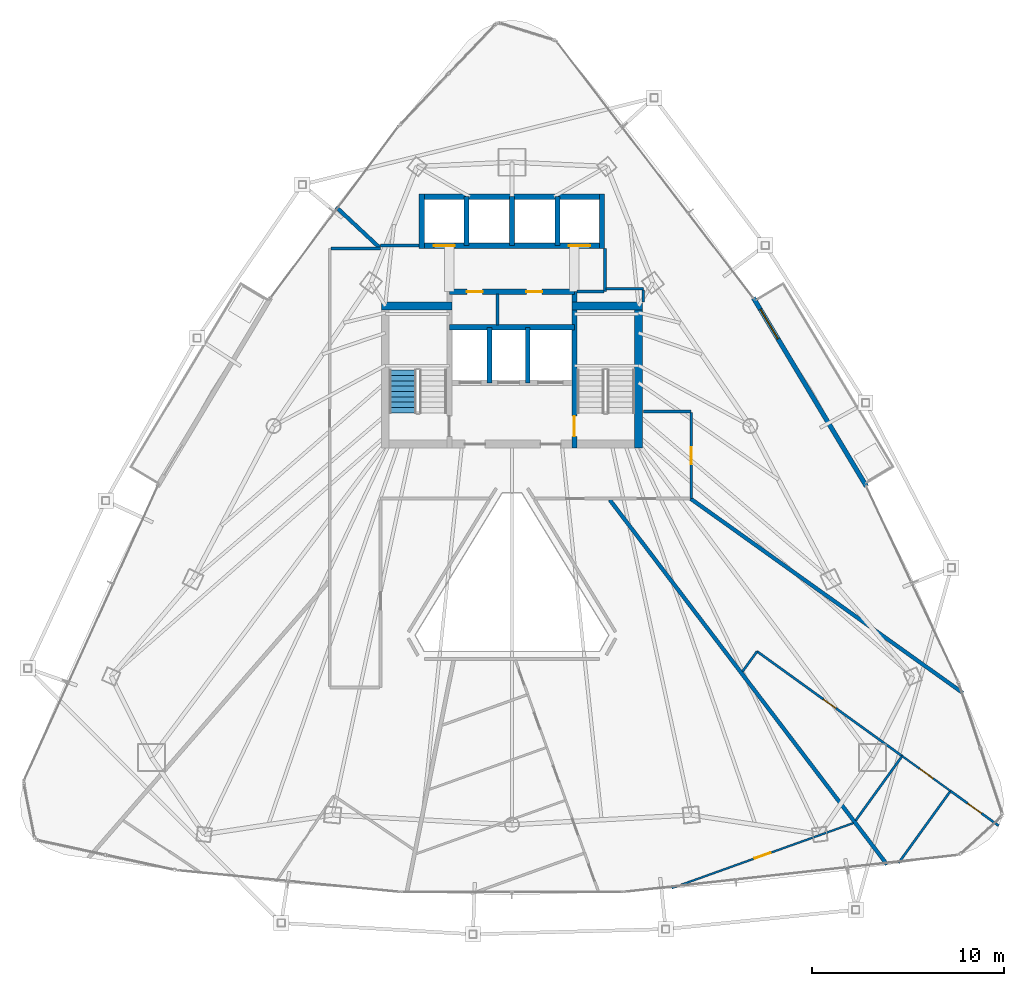
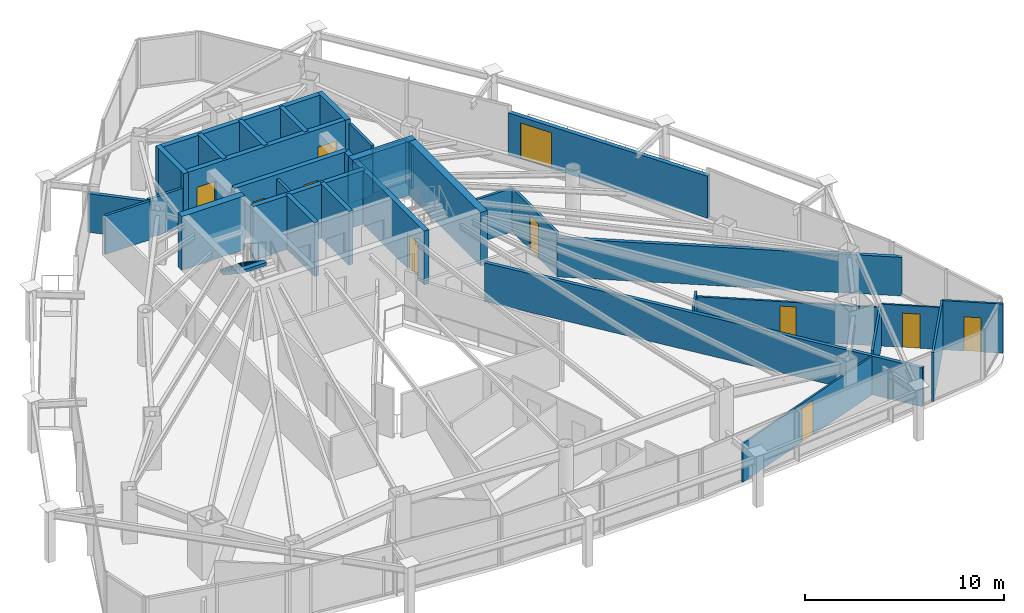
# One storey, part 26 of 30: 35 walls, 11 doors, 1 stair flight, 11 openings, 1 element without a shape of its own.
"""IFC4 building model written with IfcOpenShell, lengths in metres."""

from ifc_helpers import new_model, si_unit, direction, frame, frame_2d, origin, place, context, subcontext, project, spatial, polyline, rectangle, outline, extrude, material, layer, layer_set, type_object, element, fill, aggregate, save


model = new_model("IFC4")

# Units and contexts
model_context = context("Model", 3, precision=1e-05, world=origin(), true_north=direction((0.0, 1.0)))
body_context = subcontext(model_context, "Body", "Model", "MODEL_VIEW")
ifc_project = project(units=[si_unit("LENGTHUNIT", "METRE"), si_unit("AREAUNIT", "SQUARE_METRE"), si_unit("VOLUMEUNIT", "CUBIC_METRE"), si_unit("PLANEANGLEUNIT", "RADIAN"), si_unit("MASSUNIT", "GRAM", prefix="KILO")], contexts=[model_context])

# Site, building, storey
site_placement = place(None, origin())
site = spatial("IfcSite", under=ifc_project, at=site_placement, CompositionType="ELEMENT")
building_placement = place(site_placement, origin())
building = spatial("IfcBuilding", under=site, at=building_placement, Name="Orvanel Arch Residences", CompositionType="ELEMENT")
storey_placement = place(building_placement, frame((0.0, 0.0, 143.0)))
storey = spatial("IfcBuildingStorey", under=building, at=storey_placement, Name="L40", CompositionType="ELEMENT", Elevation=143.0)

# Wall, opening, door
ifc_material_1 = material(Name="Precast concrete N50 (50 MPa)", Category="concrete")
ifc_layer_1 = layer(ifc_material_1, 0.239990234375)
ifc_layer_set_1 = layer_set([ifc_layer_1], Name="Precast concrete N50 (50 MPa)")
wall_type_1 = type_object("IfcWallType", Name="EW-BAL-240", PredefinedType="SOLIDWALL", material=ifc_layer_set_1)
wall_1_placement = place(storey_placement, frame((51.490966796875, 24.491943359375, 0.0), z_axis=(0.0, 0.0, 1.0), x_axis=(-0.514364263751, 0.857571807009, 0.0)))
wall_1 = element("IfcWall", 1, at=wall_1_placement, inside=storey, type_object=wall_type_1, Name="L40 Balcony Threshold Wall Face 3", PredefinedType="SOLIDWALL", context=body_context, shape_type="SweptSolid", body=[
    extrude(rectangle(XDim=11.46826171875, YDim=0.239990234375, at=frame_2d((5.734130859375, 0.0))), origin(), (0.0, 0.0, 1.0), 2.583984375),
])
opening_1_placement = place(wall_1_placement, frame((8.971923828125, 0.0, 0.0)))
opening_1 = element("IfcOpeningElement", 2, at=opening_1_placement, cuts=wall_1, Name="Opening DB-180", PredefinedType="OPENING", context=body_context, shape_type="SweptSolid", body=[
    extrude(rectangle(XDim=1.800048828125, YDim=2.199951171875, at=frame_2d((0.89990234375, 1.10009765625))), frame((0.0, 0.1298828125, 0.0), z_axis=(0.0, -1.0, 0.0), x_axis=(1.0, 0.0, 0.0)), (0.0, 0.0, 1.0), 0.260009765625),
])
ifc_material_2 = material(Name="Bronze-anodised aluminium AA6063-T6", Category="aluminium")
door_type_1 = type_object("IfcDoorType", Name="DR-BAL-1800", OperationType="NOTDEFINED", PredefinedType="DOOR", material=ifc_material_2)
door_1_placement = place(opening_1_placement, origin())
door_1 = element("IfcDoor", 3, at=door_1_placement, inside=storey, type_object=door_type_1, Name="DR-L40-BAL-F3 L40 Planted Balcony Access Door Face 3", OperationType="SINGLE_SWING_LEFT", OverallHeight=2.199951171875, OverallWidth=1.800048828125, PredefinedType="DOOR", context=body_context, shape_type="SweptSolid", body=[
    extrude(rectangle(XDim=1.800048828125, YDim=2.199951171875, at=frame_2d((0.89990234375, 1.10009765625))), frame((0.0, 0.02490234375, 0.0), z_axis=(0.0, -1.0, 0.0), x_axis=(1.0, 0.0, 0.0)), (0.0, 0.0, 1.0), 0.050048828125),
])
fill(opening_1, door_1)

# Walls
ifc_material_3 = material(Name="Concrete N50 (50 MPa)", Category="concrete")
ifc_layer_2 = layer(ifc_material_3, 0.25)
ifc_layer_set_2 = layer_set([ifc_layer_2], Name="Concrete N50 (50 MPa)")
wall_type_2 = type_object("IfcWallType", Name="SW-CORE-250", PredefinedType="SHEAR", material=ifc_layer_set_2)
for number, where, z_axis, x_axis, name in (
    (4, (31.824951171875, 29.889892578125, 0.0), (0.0, 0.0, 1.0), (0.0, 1.0, 0.0), "L40 Emergency Lift Inter-Shaft Wall F12"),
    (5, (33.824951171875, 29.889892578125, 0.0), (0.0, 0.0, 1.0), (0.0, 1.0, 0.0), "L40 Emergency Lift Inter-Shaft Wall F2G"),
):
    element("IfcWall", number, at=place(storey_placement, frame(where, z_axis=z_axis, x_axis=x_axis)), inside=storey, type_object=wall_type_2, Name=name, PredefinedType="SHEAR", context=body_context, shape_type="SweptSolid", body=[
        extrude(rectangle(XDim=2.900146484375, YDim=0.25, at=frame_2d((1.4501953125, 0.0))), origin(), (0.0, 0.0, 1.0), 3.300048828125),
    ])
for number, where, z_axis, x_axis, name in (
    (6, (30.625, 37.050048828125, 0.0), (0.0, 0.0, 1.0), (0.0, 1.0, 0.0), "L40 Passenger Lift Inter-Shaft Wall P35"),
    (7, (33.0, 37.050048828125, 0.0), (0.0, 0.0, 1.0), (0.0, 1.0, 0.0), "L40 Passenger Lift Inter-Shaft Wall P56"),
    (8, (35.375, 37.050048828125, 0.0), (0.0, 0.0, 1.0), (0.0, 1.0, 0.0), "L40 Passenger Lift Inter-Shaft Wall P64"),
):
    element("IfcWall", number, at=place(storey_placement, frame(where, z_axis=z_axis, x_axis=x_axis)), inside=storey, type_object=wall_type_2, Name=name, PredefinedType="SHEAR", context=body_context, shape_type="SweptSolid", body=[
        extrude(rectangle(XDim=2.550048828125, YDim=0.25, at=frame_2d((1.27490234375, 0.0))), origin(), (0.0, 0.0, 1.0), 3.300048828125),
    ])

# Wall, opening, door
ifc_material_4 = material(Name="Concrete S65 (65 MPa)", Category="concrete")
ifc_layer_3 = layer(ifc_material_4, 0.280029296875)
ifc_layer_set_3 = layer_set([ifc_layer_3], Name="Concrete S65 (65 MPa)")
wall_type_3 = type_object("IfcWallType", Name="SW-CORE-280", PredefinedType="SHEAR", material=ifc_layer_set_3)
wall_2_placement = place(storey_placement, frame((36.260009765625, 26.5, 0.0), z_axis=(0.0, 0.0, 1.0), x_axis=(0.0, 1.0, 0.0)))
wall_2 = element("IfcWall", 9, at=wall_2_placement, inside=storey, type_object=wall_type_3, Name="L40 East Inner Core Spine Shear Wall", PredefinedType="SHEAR", context=body_context, shape_type="SweptSolid", body=[
    extrude(rectangle(XDim=8.14990234375, YDim=0.280029296875, at=frame_2d((4.074951171875, 0.0))), origin(), (0.0, 0.0, 1.0), 3.300048828125),
])
opening_2_placement = place(wall_2_placement, frame((0.60009765625, 0.0, 0.0)))
opening_2 = element("IfcOpeningElement", 10, at=opening_2_placement, cuts=wall_2, Name="Opening DF-120", PredefinedType="OPENING", context=body_context, shape_type="SweptSolid", body=[
    extrude(rectangle(XDim=1.050048828125, YDim=2.14990234375, at=frame_2d((0.52490234375, 1.074951171875))), frame((0.0, 0.14990234375, 0.0), z_axis=(0.0, -1.0, 0.0), x_axis=(1.0, 0.0, 0.0)), (0.0, 0.0, 1.0), 0.300048828125),
])
ifc_material_5 = material(Name="Galvanised steel fire-resisting door assembly", Category="steel")
door_type_2 = type_object("IfcDoorType", Name="DR-FD120-1050", OperationType="NOTDEFINED", PredefinedType="DOOR", material=ifc_material_5)
door_2_placement = place(opening_2_placement, origin())
door_2 = element("IfcDoor", 11, at=door_2_placement, inside=storey, type_object=door_type_2, Name="DR-L40-ST2 L40 Stair 2 Fire Door", OperationType="SINGLE_SWING_RIGHT", OverallHeight=2.14990234375, OverallWidth=1.050048828125, PredefinedType="DOOR", context=body_context, shape_type="SweptSolid", body=[
    extrude(rectangle(XDim=1.050048828125, YDim=2.14990234375, at=frame_2d((0.52490234375, 1.074951171875))), frame((0.0, 0.02490234375, 0.0), z_axis=(0.0, -1.0, 0.0), x_axis=(1.0, 0.0, 0.0)), (0.0, 0.0, 1.0), 0.050048828125),
])
fill(opening_2, door_2)

# Wall
wall_3_placement = place(storey_placement, frame((29.739990234375, 32.7900390625, 0.0), z_axis=(0.0, 0.0, 1.0), x_axis=(1.0, 0.0, 0.0)))
element("IfcWall", 12, at=wall_3_placement, inside=storey, type_object=wall_type_3, Name="L40 Emergency Lift Back Core Shear Wall", PredefinedType="SHEAR", context=body_context, shape_type="SweptSolid", body=[
    extrude(rectangle(XDim=6.52001953125, YDim=0.280029296875, at=frame_2d((3.260009765625, 0.0))), origin(), (0.0, 0.0, 1.0), 3.300048828125),
])

# Wall, openings, doors
wall_4_placement = place(storey_placement, frame((29.739990234375, 34.64990234375, 0.0), z_axis=(0.0, 0.0, 1.0), x_axis=(1.0, 0.0, 0.0)))
wall_4 = element("IfcWall", 13, at=wall_4_placement, inside=storey, type_object=wall_type_3, Name="L40 Core Service Band North Shear Wall", PredefinedType="SHEAR", context=body_context, shape_type="SweptSolid", body=[
    extrude(rectangle(XDim=6.52001953125, YDim=0.280029296875, at=frame_2d((3.260009765625, 0.0))), origin(), (0.0, 0.0, 1.0), 3.300048828125),
])
opening_3_placement = place(wall_4_placement, frame((0.9150390625, 0.0, 0.0)))
opening_3 = element("IfcOpeningElement", 14, at=opening_3_placement, cuts=wall_4, Name="Opening DS-082", PredefinedType="OPENING", context=body_context, shape_type="SweptSolid", body=[
    extrude(rectangle(XDim=0.820068359375, YDim=2.10009765625, at=frame_2d((0.41015625, 1.050048828125))), frame((0.0, 0.14990234375, 0.0), z_axis=(0.0, -1.0, 0.0), x_axis=(1.0, 0.0, 0.0)), (0.0, 0.0, 1.0), 0.300048828125),
])
opening_4_placement = place(wall_4_placement, frame((4.014892578125, 0.0, 0.0)))
opening_4 = element("IfcOpeningElement", 15, at=opening_4_placement, cuts=wall_4, Name="Opening DW-082", PredefinedType="OPENING", context=body_context, shape_type="SweptSolid", body=[
    extrude(rectangle(XDim=0.820068359375, YDim=2.10009765625, at=frame_2d((0.41015625, 1.050048828125))), frame((0.0, 0.14990234375, 0.0), z_axis=(0.0, -1.0, 0.0), x_axis=(1.0, 0.0, 0.0)), (0.0, 0.0, 1.0), 0.300048828125),
])
door_type_3 = type_object("IfcDoorType", Name="DR-SVC-820", OperationType="NOTDEFINED", PredefinedType="DOOR", material=ifc_material_5)
door_3_placement = place(opening_3_placement, origin())
door_3 = element("IfcDoor", 16, at=door_3_placement, inside=storey, type_object=door_type_3, Name="DR-L40-CSVC-1 L40 Floor Cleaner's Store Door", OperationType="SINGLE_SWING_LEFT", OverallHeight=2.10009765625, OverallWidth=0.820068359375, PredefinedType="DOOR", context=body_context, shape_type="SweptSolid", body=[
    extrude(rectangle(XDim=0.820068359375, YDim=2.10009765625, at=frame_2d((0.41015625, 1.050048828125))), frame((0.0, 0.02490234375, 0.0), z_axis=(0.0, -1.0, 0.0), x_axis=(1.0, 0.0, 0.0)), (0.0, 0.0, 1.0), 0.050048828125),
])
fill(opening_3, door_3)
ifc_material_6 = material(Name="Solid-core European oak veneer fire door leaf", Category="wood")
door_type_4 = type_object("IfcDoorType", Name="DR-WET-820", OperationType="NOTDEFINED", PredefinedType="DOOR", material=ifc_material_6)
door_4_placement = place(opening_4_placement, origin())
door_4 = element("IfcDoor", 17, at=door_4_placement, inside=storey, type_object=door_type_4, Name="DR-L40-CSVC-2 L40 Core Accessible WC Door", OperationType="SINGLE_SWING_LEFT", OverallHeight=2.10009765625, OverallWidth=0.820068359375, PredefinedType="DOOR", context=body_context, shape_type="SweptSolid", body=[
    extrude(rectangle(XDim=0.820068359375, YDim=2.10009765625, at=frame_2d((0.41015625, 1.050048828125))), frame((0.0, 0.02490234375, 0.0), z_axis=(0.0, -1.0, 0.0), x_axis=(1.0, 0.0, 0.0)), (0.0, 0.0, 1.0), 0.050048828125),
])
fill(opening_4, door_4)

wall_5_placement = place(storey_placement, frame((37.840087890625, 37.050048828125, 0.0), z_axis=(0.0, 0.0, 1.0), x_axis=(-1.0, 0.0, 0.0)))
wall_5 = element("IfcWall", 18, at=wall_5_placement, inside=storey, type_object=wall_type_3, Name="L40 Passenger Lift Bank Front Shear Wall", PredefinedType="SHEAR", context=body_context, shape_type="SweptSolid", body=[
    extrude(rectangle(XDim=9.68017578125, YDim=0.280029296875, at=frame_2d((4.840087890625, 0.0))), origin(), (0.0, 0.0, 1.0), 3.300048828125),
])
opening_5_placement = place(wall_5_placement, frame((7.81494140625, 0.0, 0.0)))
opening_5 = element("IfcOpeningElement", 19, at=opening_5_placement, cuts=wall_5, Name="Opening LD-110", PredefinedType="OPENING", context=body_context, shape_type="SweptSolid", body=[
    extrude(rectangle(XDim=1.10009765625, YDim=2.199951171875, at=frame_2d((0.550048828125, 1.10009765625))), frame((0.0, 0.14990234375, 0.0), z_axis=(0.0, -1.0, 0.0), x_axis=(1.0, 0.0, 0.0)), (0.0, 0.0, 1.0), 0.300048828125),
])
opening_6_placement = place(wall_5_placement, frame((0.764892578125, 0.0, 0.0)))
opening_6 = element("IfcOpeningElement", 20, at=opening_6_placement, cuts=wall_5, Name="Opening LD-110", PredefinedType="OPENING", context=body_context, shape_type="SweptSolid", body=[
    extrude(rectangle(XDim=1.10009765625, YDim=2.199951171875, at=frame_2d((0.550048828125, 1.10009765625))), frame((0.0, 0.14990234375, 0.0), z_axis=(0.0, -1.0, 0.0), x_axis=(1.0, 0.0, 0.0)), (0.0, 0.0, 1.0), 0.300048828125),
])
door_type_5 = type_object("IfcDoorType", Name="DR-LFT-1100", OperationType="NOTDEFINED", PredefinedType="DOOR", material=ifc_material_5)
door_5_placement = place(opening_5_placement, origin())
door_5 = element("IfcDoor", 21, at=door_5_placement, inside=storey, type_object=door_type_5, Name="LD-P3-L40 L40 Passenger Lift P3 Sliding Landing Door", OperationType="DOUBLE_DOOR_SLIDING", OverallHeight=2.199951171875, OverallWidth=1.10009765625, PredefinedType="DOOR", context=body_context, shape_type="SweptSolid", body=[
    extrude(rectangle(XDim=1.10009765625, YDim=2.199951171875, at=frame_2d((0.550048828125, 1.10009765625))), frame((0.0, 0.02490234375, 0.0), z_axis=(0.0, -1.0, 0.0), x_axis=(1.0, 0.0, 0.0)), (0.0, 0.0, 1.0), 0.050048828125),
])
fill(opening_5, door_5)
door_6_placement = place(opening_6_placement, origin())
door_6 = element("IfcDoor", 22, at=door_6_placement, inside=storey, type_object=door_type_5, Name="LD-P4-L40 L40 Passenger Lift P4 Sliding Landing Door", OperationType="DOUBLE_DOOR_SLIDING", OverallHeight=2.199951171875, OverallWidth=1.10009765625, PredefinedType="DOOR", context=body_context, shape_type="SweptSolid", body=[
    extrude(rectangle(XDim=1.10009765625, YDim=2.199951171875, at=frame_2d((0.550048828125, 1.10009765625))), frame((0.0, 0.02490234375, 0.0), z_axis=(0.0, -1.0, 0.0), x_axis=(1.0, 0.0, 0.0)), (0.0, 0.0, 1.0), 0.050048828125),
])
fill(opening_6, door_6)

# Walls
wall_6_placement = place(storey_placement, frame((28.159912109375, 39.60009765625, 0.0), z_axis=(0.0, 0.0, 1.0), x_axis=(1.0, 0.0, 0.0)))
element("IfcWall", 23, at=wall_6_placement, inside=storey, type_object=wall_type_3, Name="L40 Passenger Lift Bank North Shear Wall", PredefinedType="SHEAR", context=body_context, shape_type="SweptSolid", body=[
    extrude(rectangle(XDim=9.68017578125, YDim=0.280029296875, at=frame_2d((4.840087890625, 0.0))), origin(), (0.0, 0.0, 1.0), 3.300048828125),
])
for number, where, z_axis, x_axis, name in (
    (24, (28.300048828125, 36.909912109375, 0.0), (0.0, 0.0, 1.0), (0.0, 1.0, 0.0), "L40 Passenger Lift Bank West Shear Wall"),
    (25, (37.699951171875, 36.909912109375, 0.0), (0.0, 0.0, 1.0), (0.0, 1.0, 0.0), "L40 Passenger Lift Bank East Shear Wall"),
):
    element("IfcWall", number, at=place(storey_placement, frame(where, z_axis=z_axis, x_axis=x_axis)), inside=storey, type_object=wall_type_3, Name=name, PredefinedType="SHEAR", context=body_context, shape_type="SweptSolid", body=[
        extrude(rectangle(XDim=2.830078125, YDim=0.280029296875, at=frame_2d((1.4150390625, 0.0))), origin(), (0.0, 0.0, 1.0), 3.300048828125),
    ])
ifc_layer_4 = layer(ifc_material_4, 0.39990234375)
ifc_layer_set_4 = layer_set([ifc_layer_4], Name="Concrete S65 (65 MPa)")
wall_type_4 = type_object("IfcWallType", Name="SW-CORE-400", PredefinedType="SHEAR", material=ifc_layer_set_4)
wall_7_placement = place(storey_placement, frame((26.199951171875, 33.89990234375, 0.0), z_axis=(0.0, 0.0, 1.0), x_axis=(1.0, 0.0, 0.0)))
element("IfcWall", 26, at=wall_7_placement, inside=storey, type_object=wall_type_4, Name="L40 West Stair North Shear Wall", PredefinedType="SHEAR", context=body_context, shape_type="SweptSolid", body=[
    extrude(rectangle(XDim=3.679931640625, YDim=0.39990234375, at=frame_2d((1.83984375, 0.0))), origin(), (0.0, 0.0, 1.0), 3.300048828125),
])
wall_8_placement = place(storey_placement, frame((39.60009765625, 26.5, 0.0), z_axis=(0.0, 0.0, 1.0), x_axis=(0.0, 1.0, 0.0)))
element("IfcWall", 27, at=wall_8_placement, inside=storey, type_object=wall_type_4, Name="L40 East Stair Shear Wall", PredefinedType="SHEAR", context=body_context, shape_type="SweptSolid", body=[
    extrude(rectangle(XDim=7.60009765625, YDim=0.39990234375, at=frame_2d((3.800048828125, 0.0))), origin(), (0.0, 0.0, 1.0), 3.300048828125),
])
wall_9_placement = place(storey_placement, frame((36.1201171875, 33.89990234375, 0.0), z_axis=(0.0, 0.0, 1.0), x_axis=(1.0, 0.0, 0.0)))
element("IfcWall", 28, at=wall_9_placement, inside=storey, type_object=wall_type_4, Name="L40 East Stair North Shear Wall", PredefinedType="SHEAR", context=body_context, shape_type="SweptSolid", body=[
    extrude(rectangle(XDim=3.679931640625, YDim=0.39990234375, at=frame_2d((1.83984375, 0.0))), origin(), (0.0, 0.0, 1.0), 3.300048828125),
])
ifc_material_7 = material(Name="Fire-rated plasterboard lined steel stud partition", Category="steel")
ifc_layer_5 = layer(ifc_material_7, 0.14990234375)
ifc_layer_set_5 = layer_set([ifc_layer_5], Name="Fire-rated plasterboard lined steel stud partition")
wall_type_5 = type_object("IfcWallType", Name="W-COR-150", PredefinedType="PARTITIONING", material=ifc_layer_set_5)
wall_10_placement = place(storey_placement, frame((37.85009765625, 34.64990234375, 0.0), z_axis=(0.0, 0.0, 1.0), x_axis=(0.0, 1.0, 0.0)))
element("IfcWall", 29, at=wall_10_placement, inside=storey, type_object=wall_type_5, Name="L40 Passenger Lift Lobby East Closure Wall", PredefinedType="PARTITIONING", context=body_context, shape_type="SweptSolid", body=[
    extrude(rectangle(XDim=2.260009765625, YDim=0.14990234375, at=frame_2d((1.1298828125, 0.0))), origin(), (0.0, 0.0, 1.0), 3.02001953125),
])
wall_11_placement = place(storey_placement, frame((36.385009765625, 34.64990234375, 0.0), z_axis=(0.0, 0.0, 1.0), x_axis=(1.0, 0.0, 0.0)))
element("IfcWall", 30, at=wall_11_placement, inside=storey, type_object=wall_type_5, Name="L40 Passenger Lift Lobby South-East Wall", PredefinedType="PARTITIONING", context=body_context, shape_type="SweptSolid", body=[
    extrude(rectangle(XDim=1.405029296875, YDim=0.14990234375, at=frame_2d((0.70263671875, 0.0))), origin(), (0.0, 0.0, 1.0), 2.385009765625),
])
wall_12_placement = place(storey_placement, frame((23.56005859375, 36.89990234375, 0.0), z_axis=(0.0, 0.0, 1.0), x_axis=(1.0, 0.0, 0.0)))
element("IfcWall", 31, at=wall_12_placement, inside=storey, type_object=wall_type_5, Name="L40 Corridor Fire-Rated Partition", PredefinedType="PARTITIONING", context=body_context, shape_type="SweptSolid", body=[
    extrude(rectangle(XDim=2.58984375, YDim=0.14990234375, at=frame_2d((1.294921875, 0.0))), origin(), (0.0, 0.0, 1.0), 2.373046875),
])
wall_13_placement = place(storey_placement, frame((39.85009765625, 28.39990234375, 0.0), z_axis=(0.0, 0.0, 1.0), x_axis=(1.0, 0.0, 0.0)))
element("IfcWall", 32, at=wall_13_placement, inside=storey, type_object=wall_type_5, Name="L40 Corridor Fire-Rated Partition", PredefinedType="PARTITIONING", context=body_context, shape_type="SweptSolid", body=[
    extrude(rectangle(XDim=2.5, YDim=0.14990234375, at=frame_2d((1.25, 0.0))), origin(), (0.0, 0.0, 1.0), 2.680908203125),
])

# Wall, opening, door
wall_14_placement = place(storey_placement, frame((42.35009765625, 28.340087890625, 0.0), z_axis=(0.0, 0.0, 1.0), x_axis=(0.0, -1.0, 0.0)))
wall_14 = element("IfcWall", 33, at=wall_14_placement, inside=storey, type_object=wall_type_5, Name="L40 Corridor Fire-Rated Partition", PredefinedType="PARTITIONING", context=body_context, shape_type="SweptSolid", body=[
    extrude(rectangle(XDim=4.489990234375, YDim=0.14990234375, at=frame_2d((2.2451171875, 0.0))), origin(), (0.0, 0.0, 1.0), 2.680908203125),
])
opening_7_placement = place(wall_14_placement, frame((1.804931640625, 0.0, 0.0)))
opening_7 = element("IfcOpeningElement", 34, at=opening_7_placement, cuts=wall_14, Name="Opening DI-088", PredefinedType="OPENING", context=body_context, shape_type="SweptSolid", body=[
    extrude(rectangle(XDim=0.8798828125, YDim=2.10009765625, at=frame_2d((0.43994140625, 1.050048828125))), frame((0.0, 0.0849609375, 0.0), z_axis=(0.0, -1.0, 0.0), x_axis=(1.0, 0.0, 0.0)), (0.0, 0.0, 1.0), 0.169921875),
])
door_type_6 = type_object("IfcDoorType", Name="DR-INT-880", OperationType="NOTDEFINED", PredefinedType="DOOR", material=ifc_material_6)
door_7_placement = place(opening_7_placement, origin())
door_7 = element("IfcDoor", 35, at=door_7_placement, inside=storey, type_object=door_type_6, Name="DR-L40-SHRD-FB2 L40 Co-Working Study Office B Door", OperationType="SINGLE_SWING_LEFT", OverallHeight=2.10009765625, OverallWidth=0.8798828125, PredefinedType="DOOR", context=body_context, shape_type="SweptSolid", body=[
    extrude(rectangle(XDim=0.8798828125, YDim=2.10009765625, at=frame_2d((0.43994140625, 1.050048828125))), frame((0.0, 0.02490234375, 0.0), z_axis=(0.0, -1.0, 0.0), x_axis=(1.0, 0.0, 0.0)), (0.0, 0.0, 1.0), 0.050048828125),
])
fill(opening_7, door_7)

# Walls
wall_15_placement = place(storey_placement, frame((26.14990234375, 37.050048828125, 0.0), z_axis=(0.0, 0.0, 1.0), x_axis=(1.0, 0.0, 0.0)))
element("IfcWall", 36, at=wall_15_placement, inside=storey, type_object=wall_type_5, Name="L40 Core Perimeter Partition", PredefinedType="PARTITIONING", context=body_context, shape_type="SweptSolid", body=[
    extrude(rectangle(XDim=2.0, YDim=0.14990234375, at=frame_2d((1.0, 0.0))), origin(), (0.0, 0.0, 1.0), 2.373046875),
])
wall_16_placement = place(storey_placement, frame((37.909912109375, 34.800048828125, 0.0), z_axis=(0.0, 0.0, 1.0), x_axis=(1.0, 0.0, 0.0)))
element("IfcWall", 37, at=wall_16_placement, inside=storey, type_object=wall_type_5, Name="L40 Core Perimeter Partition", PredefinedType="PARTITIONING", context=body_context, shape_type="SweptSolid", body=[
    extrude(rectangle(XDim=1.940185546875, YDim=0.14990234375, at=frame_2d((0.97021484375, 0.0))), origin(), (0.0, 0.0, 1.0), 2.680908203125),
])
wall_17_placement = place(storey_placement, frame((39.85009765625, 34.739990234375, 0.0), z_axis=(0.0, 0.0, 1.0), x_axis=(0.0, -1.0, 0.0)))
element("IfcWall", 38, at=wall_17_placement, inside=storey, type_object=wall_type_5, Name="L40 Core Perimeter Partition", PredefinedType="PARTITIONING", context=body_context, shape_type="SweptSolid", body=[
    extrude(rectangle(XDim=0.639892578125, YDim=0.14990234375, at=frame_2d((0.31982421875, 0.0))), origin(), (0.0, 0.0, 1.0), 2.680908203125),
])
ifc_layer_6 = layer(ifc_material_7, 0.199951171875)
ifc_layer_set_6 = layer_set([ifc_layer_6], Name="Fire-rated plasterboard lined steel stud partition")
wall_type_6 = type_object("IfcWallType", Name="W-DEM-200", PredefinedType="PARTITIONING", material=ifc_layer_set_6)
wall_18_placement = place(storey_placement, frame((38.10107421875, 23.7900390625, 0.0), z_axis=(0.0, 0.0, 1.0), x_axis=(0.605201904092, -0.796072016393, 0.0)))
element("IfcWall", 39, at=wall_18_placement, inside=storey, type_object=wall_type_6, Name="L40 Inter-Tenancy Acoustic Demising Wall", PredefinedType="PARTITIONING", context=body_context, shape_type="SweptSolid", body=[
    extrude(rectangle(XDim=23.89599609375, YDim=0.199951171875, at=frame_2d((11.947998046875, 0.0))), origin(), (0.0, 0.0, 1.0), 2.373046875),
])
wall_19_placement = place(storey_placement, frame((26.0791015625, 36.9599609375, 0.0), z_axis=(0.0, 0.0, 1.0), x_axis=(-0.730912649308, 0.682471024354, 0.0)))
element("IfcWall", 40, at=wall_19_placement, inside=storey, type_object=wall_type_6, Name="L40 Inter-Tenancy Acoustic Demising Wall", PredefinedType="PARTITIONING", context=body_context, shape_type="SweptSolid", body=[
    extrude(rectangle(XDim=3.07421875, YDim=0.199951171875, at=frame_2d((1.537109375, 0.0))), origin(), (0.0, 0.0, 1.0), 2.373046875),
])
wall_20_placement = place(storey_placement, frame((56.514892578125, 13.719970703125, 0.0), z_axis=(0.0, 0.0, 1.0), x_axis=(-0.813997291107, 0.580868668522, 0.0)))
element("IfcWall", 41, at=wall_20_placement, inside=storey, type_object=wall_type_6, Name="L40 Inter-Tenancy Acoustic Demising Wall", PredefinedType="PARTITIONING", context=body_context, shape_type="SweptSolid", body=[
    extrude(rectangle(XDim=17.439697265625, YDim=0.199951171875, at=frame_2d((8.7197265625, 0.0))), origin(), (0.0, 0.0, 1.0), 2.373046875),
])

# Wall, opening, door
ifc_material_8 = material(Name="Acoustic plasterboard lined twin-stud partition", Category="gypsum")
ifc_layer_7 = layer(ifc_material_8, 0.10009765625)
ifc_layer_set_7 = layer_set([ifc_layer_7], Name="Acoustic plasterboard lined twin-stud partition")
wall_type_7 = type_object("IfcWallType", Name="W-INT-100", PredefinedType="PARTITIONING", material=ifc_layer_set_7)
wall_21_placement = place(storey_placement, frame((50.81005859375, 6.931884765625, 0.0), z_axis=(0.0, 0.0, 1.0), x_axis=(-0.941340567411, -0.337458050943, 0.0)))
wall_21 = element("IfcWall", 42, at=wall_21_placement, inside=storey, type_object=wall_type_7, Name="L40 Flat A Internal Partition", PredefinedType="PARTITIONING", context=body_context, shape_type="SweptSolid", body=[
    extrude(rectangle(XDim=10.0634765625, YDim=0.10009765625, at=frame_2d((5.03173828125, 0.0))), origin(), (0.0, 0.0, 1.0), 2.373046875),
])
opening_8_placement = place(wall_21_placement, frame((4.592041015625, 0.0, 0.0)))
opening_8 = element("IfcOpeningElement", 43, at=opening_8_placement, cuts=wall_21, Name="Opening DI-088", PredefinedType="OPENING", context=body_context, shape_type="SweptSolid", body=[
    extrude(rectangle(XDim=0.8798828125, YDim=2.10009765625, at=frame_2d((0.43994140625, 1.050048828125))), frame((0.0, 0.06005859375, 0.0), z_axis=(0.0, -1.0, 0.0), x_axis=(1.0, 0.0, 0.0)), (0.0, 0.0, 1.0), 0.1201171875),
])
door_8_placement = place(opening_8_placement, origin())
door_8 = element("IfcDoor", 44, at=door_8_placement, inside=storey, type_object=door_type_6, Name="DR-L40-A-AME2 L40 Flat A Resident Reading Library 1 Door", OperationType="SINGLE_SWING_LEFT", OverallHeight=2.10009765625, OverallWidth=0.8798828125, PredefinedType="DOOR", context=body_context, shape_type="SweptSolid", body=[
    extrude(rectangle(XDim=0.8798828125, YDim=2.10009765625, at=frame_2d((0.43994140625, 1.050048828125))), frame((0.0, 0.02490234375, 0.0), z_axis=(0.0, -1.0, 0.0), x_axis=(1.0, 0.0, 0.0)), (0.0, 0.0, 1.0), 0.050048828125),
])
fill(opening_8, door_8)

wall_22_placement = place(storey_placement, frame((55.8740234375, 8.60400390625, 0.0), z_axis=(0.0, 0.0, 1.0), x_axis=(-0.810886170902, 0.585203911333, 0.0)))
wall_22 = element("IfcWall", 45, at=wall_22_placement, inside=storey, type_object=wall_type_7, Name="L40 Studio E Internal Partition", PredefinedType="PARTITIONING", context=body_context, shape_type="SweptSolid", body=[
    extrude(rectangle(XDim=3.110107421875, YDim=0.10009765625, at=frame_2d((1.55517578125, 0.0))), origin(), (0.0, 0.0, 1.0), 2.5791015625),
])
opening_9_placement = place(wall_22_placement, frame((1.114990234375, 0.0, 0.0)))
opening_9 = element("IfcOpeningElement", 46, at=opening_9_placement, cuts=wall_22, Name="Opening DI-088", PredefinedType="OPENING", context=body_context, shape_type="SweptSolid", body=[
    extrude(rectangle(XDim=0.8798828125, YDim=2.10009765625, at=frame_2d((0.43994140625, 1.050048828125))), frame((0.0, 0.06005859375, 0.0), z_axis=(0.0, -1.0, 0.0), x_axis=(1.0, 0.0, 0.0)), (0.0, 0.0, 1.0), 0.1201171875),
])
door_9_placement = place(opening_9_placement, origin())
door_9 = element("IfcDoor", 47, at=door_9_placement, inside=storey, type_object=door_type_6, Name="DR-L40-E-DIN1 L40 Studio E Dining Room 1 Door", OperationType="SINGLE_SWING_LEFT", OverallHeight=2.10009765625, OverallWidth=0.8798828125, PredefinedType="DOOR", context=body_context, shape_type="SweptSolid", body=[
    extrude(rectangle(XDim=0.8798828125, YDim=2.10009765625, at=frame_2d((0.43994140625, 1.050048828125))), frame((0.0, 0.02490234375, 0.0), z_axis=(0.0, -1.0, 0.0), x_axis=(1.0, 0.0, 0.0)), (0.0, 0.0, 1.0), 0.050048828125),
])
fill(opening_9, door_9)

# Wall
ifc_layer_8 = layer(ifc_material_7, 0.14990234375)
ifc_layer_set_8 = layer_set([ifc_layer_8], Name="Fire-rated plasterboard lined steel stud partition")
wall_type_8 = type_object("IfcWallType", Name="W-ST-150", PredefinedType="PARTITIONING", material=ifc_layer_set_8)
wall_23_placement = place(storey_placement, frame((32.25, 32.9150390625, 0.0), z_axis=(0.0, 0.0, 1.0), x_axis=(0.0, 1.0, 0.0)))
element("IfcWall", 48, at=wall_23_placement, inside=storey, type_object=wall_type_8, Name="L40 Core Service Partition 1", PredefinedType="PARTITIONING", context=body_context, shape_type="SweptSolid", body=[
    extrude(rectangle(XDim=1.60986328125, YDim=0.14990234375, at=frame_2d((0.804931640625, 0.0))), origin(), (0.0, 0.0, 1.0), 3.02001953125),
])

# Wall, opening, door
ifc_layer_9 = layer(ifc_material_8, 0.1201171875)
ifc_layer_set_9 = layer_set([ifc_layer_9], Name="Acoustic plasterboard lined twin-stud partition")
wall_type_9 = type_object("IfcWallType", Name="W-WET-120", PredefinedType="PARTITIONING", material=ifc_layer_set_9)
wall_24_placement = place(storey_placement, frame((53.35205078125, 10.424072265625, 0.0), z_axis=(0.0, 0.0, 1.0), x_axis=(-0.810979209295, 0.585074971343, 0.0)))
wall_24 = element("IfcWall", 49, at=wall_24_placement, inside=storey, type_object=wall_type_9, Name="L40 Studio E Bathroom Partition", PredefinedType="PARTITIONING", context=body_context, shape_type="SweptSolid", body=[
    extrude(rectangle(XDim=9.33203125, YDim=0.1201171875, at=frame_2d((4.666015625, 0.0))), origin(), (0.0, 0.0, 1.0), 2.373046875),
])
opening_10_placement = place(wall_24_placement, frame((4.256103515625, 0.0, 0.0)))
opening_10 = element("IfcOpeningElement", 50, at=opening_10_placement, cuts=wall_24, Name="Opening DW-082", PredefinedType="OPENING", context=body_context, shape_type="SweptSolid", body=[
    extrude(rectangle(XDim=0.820068359375, YDim=2.10009765625, at=frame_2d((0.41015625, 1.050048828125))), frame((0.0, 0.070068359375, 0.0), z_axis=(0.0, -1.0, 0.0), x_axis=(1.0, 0.0, 0.0)), (0.0, 0.0, 1.0), 0.14013671875),
])
door_10_placement = place(opening_10_placement, origin())
door_10 = element("IfcDoor", 51, at=door_10_placement, inside=storey, type_object=door_type_4, Name="DR-L40-E-BATH L40 Studio E Bathroom Door", OperationType="SINGLE_SWING_RIGHT", OverallHeight=2.10009765625, OverallWidth=0.820068359375, PredefinedType="DOOR", context=body_context, shape_type="SweptSolid", body=[
    extrude(rectangle(XDim=0.820068359375, YDim=2.10009765625, at=frame_2d((0.41015625, 1.050048828125))), frame((0.0, 0.02490234375, 0.0), z_axis=(0.0, -1.0, 0.0), x_axis=(1.0, 0.0, 0.0)), (0.0, 0.0, 1.0), 0.050048828125),
])
fill(opening_10, door_10)

# Wall
wall_25_placement = place(storey_placement, frame((45.783935546875, 15.884033203125, 0.0), z_axis=(0.0, 0.0, 1.0), x_axis=(-0.58557264979, -0.810619930558, 0.0)))
element("IfcWall", 52, at=wall_25_placement, inside=storey, type_object=wall_type_9, Name="L40 Studio E Bathroom Partition", PredefinedType="PARTITIONING", context=body_context, shape_type="SweptSolid", body=[
    extrude(rectangle(XDim=1.302978515625, YDim=0.1201171875, at=frame_2d((0.6513671875, 0.0))), origin(), (0.0, 0.0, 1.0), 2.680908203125),
])

# Wall, opening, door
wall_26_placement = place(storey_placement, frame((58.385009765625, 6.79296875, 0.0), z_axis=(0.0, 0.0, 1.0), x_axis=(-0.811055436316, 0.584969297675, 0.0)))
wall_26 = element("IfcWall", 53, at=wall_26_placement, inside=storey, type_object=wall_type_9, Name="L40 Studio E Internal Partition", PredefinedType="PARTITIONING", context=body_context, shape_type="SweptSolid", body=[
    extrude(rectangle(XDim=3.095947265625, YDim=0.1201171875, at=frame_2d((1.5478515625, 0.0))), origin(), (0.0, 0.0, 1.0), 3.02001953125),
])
opening_11_placement = place(wall_26_placement, frame((1.10791015625, 0.0, 0.0)))
opening_11 = element("IfcOpeningElement", 54, at=opening_11_placement, cuts=wall_26, Name="Opening DI-088", PredefinedType="OPENING", context=body_context, shape_type="SweptSolid", body=[
    extrude(rectangle(XDim=0.8798828125, YDim=2.10009765625, at=frame_2d((0.43994140625, 1.050048828125))), frame((0.0, 0.070068359375, 0.0), z_axis=(0.0, -1.0, 0.0), x_axis=(1.0, 0.0, 0.0)), (0.0, 0.0, 1.0), 0.14013671875),
])
door_11_placement = place(opening_11_placement, origin())
door_11 = element("IfcDoor", 55, at=door_11_placement, inside=storey, type_object=door_type_6, Name="DR-L40-E-KIT L40 Studio E Kitchenette Door", OperationType="SINGLE_SWING_LEFT", OverallHeight=2.10009765625, OverallWidth=0.8798828125, PredefinedType="DOOR", context=body_context, shape_type="SweptSolid", body=[
    extrude(rectangle(XDim=0.8798828125, YDim=2.10009765625, at=frame_2d((0.43994140625, 1.050048828125))), frame((0.0, 0.02490234375, 0.0), z_axis=(0.0, -1.0, 0.0), x_axis=(1.0, 0.0, 0.0)), (0.0, 0.0, 1.0), 0.050048828125),
])
fill(opening_11, door_11)

# Walls
wall_27_placement = place(storey_placement, frame((53.35205078125, 10.424072265625, 0.0), z_axis=(0.0, 0.0, 1.0), x_axis=(-0.585041198475, -0.811003573412, 0.0)))
element("IfcWall", 56, at=wall_27_placement, inside=storey, type_object=wall_type_9, Name="L40 Studio E Bathroom Partition", PredefinedType="PARTITIONING", context=body_context, shape_type="SweptSolid", body=[
    extrude(rectangle(XDim=4.146728515625, YDim=0.1201171875, at=frame_2d((2.0732421875, 0.0))), origin(), (0.0, 0.0, 1.0), 2.5791015625),
])
wall_28_placement = place(storey_placement, frame((53.1640625, 4.846923828125, 0.0), z_axis=(0.0, 0.0, 1.0), x_axis=(0.58499591955, 0.81103623477, 0.0)))
element("IfcWall", 57, at=wall_28_placement, inside=storey, type_object=wall_type_9, Name="L40 Studio E Internal Partition", PredefinedType="PARTITIONING", context=body_context, shape_type="SweptSolid", body=[
    extrude(rectangle(XDim=4.63232421875, YDim=0.1201171875, at=frame_2d((2.316162109375, 0.0))), origin(), (0.0, 0.0, 1.0), 3.02001953125),
])

# Stair, stair flight
stair_type = type_object("IfcStairType", Name="STR-DOG-184", PredefinedType="USERDEFINED", material=ifc_material_1)
stair_placement = place(storey_placement, origin())
stair = element("IfcStair", 58, at=stair_placement, inside=storey, type_object=stair_type, Name="L40 Fire-Isolated Core Exit Stair 1", ObjectType="TWO_RETURN_STAIR", PredefinedType="USERDEFINED")
stair_flight_type = type_object("IfcStairFlightType", Name="SFL-C1-184", PredefinedType="STRAIGHT", material=ifc_material_1)
stair_flight_placement = place(storey_placement, frame((27.31005859375, 30.56005859375, 1.64990234375), z_axis=(0.0, 0.0, 1.0), x_axis=(0.0, -1.0, 0.0)))
stair_flight = element("IfcStairFlight", 59, at=stair_flight_placement, type_object=stair_flight_type, Name="ST-1 flight 2", NumberOfRisers=9, NumberOfTreads=8, PredefinedType="STRAIGHT", RiserHeight=0.183333333, TreadLength=0.28, context=body_context, shape_type="SweptSolid", body=[
    extrude(outline(polyline([(0.0, 0.0), (0.0, 0.183349609375), (0.280029296875, 0.183349609375), (0.280029296875, 0.36669921875), (0.56005859375, 0.36669921875), (0.56005859375, 0.550048828125), (0.840087890625, 0.550048828125), (0.840087890625, 0.7333984375), (1.1201171875, 0.7333984375), (1.1201171875, 0.916748046875), (1.39990234375, 0.916748046875), (1.39990234375, 1.10009765625), (1.679931640625, 1.10009765625), (1.679931640625, 1.283447265625), (1.9599609375, 1.283447265625), (1.9599609375, 1.466552734375), (2.239990234375, 1.466552734375), (2.239990234375, 1.64990234375), (2.239990234375, 1.28759765625), (0.273681640625, 0.0), (0.0, 0.0)])), frame((0.0, 0.7099609375, 0.0), z_axis=(0.0, -1.0, 0.0), x_axis=(1.0, 0.0, 0.0)), (0.0, 0.0, 1.0), 1.419921875),
])
aggregate(stair, [stair_flight])

save(model, "model.ifc")
